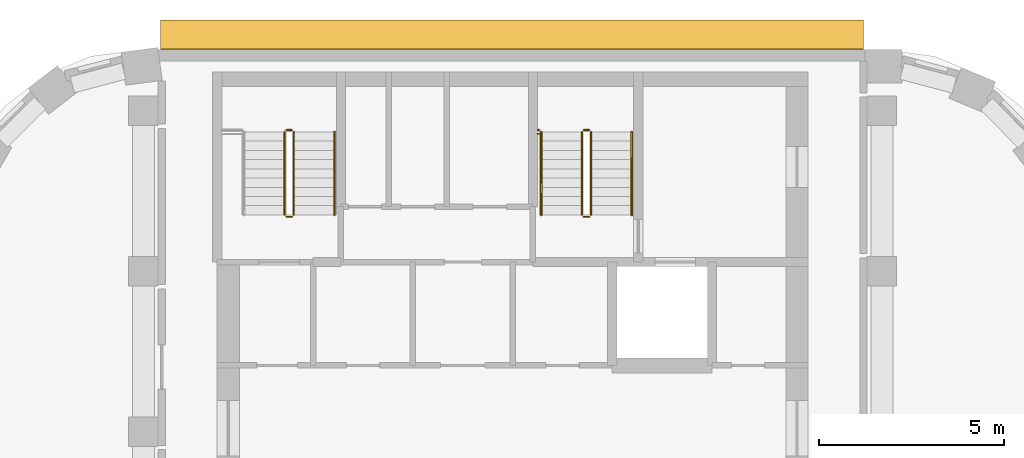
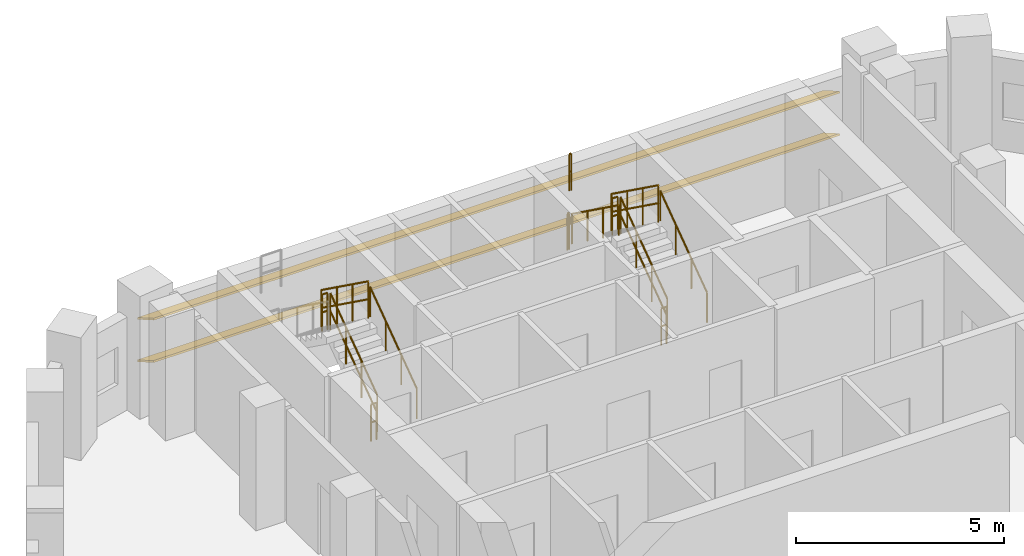
# One storey, part 9 of 9: 13 railings, 2 shading devices.
"""IFC4 building model written with IfcOpenShell, lengths in metres."""

from ifc_helpers import new_model, si_unit, direction, frame, origin, origin_2d, place, context, subcontext, project, spatial, rectangle, circle, extrude, material, material_profile, profile_set, type_object, element, save


model = new_model("IFC4")

# Units and contexts
model_context = context("Model", 3, precision=1e-05, world=origin(), true_north=direction((0.0, 1.0)))
body_context = subcontext(model_context, "Body", "Model", "MODEL_VIEW")
ifc_project = project(units=[si_unit("LENGTHUNIT", "METRE"), si_unit("AREAUNIT", "SQUARE_METRE"), si_unit("VOLUMEUNIT", "CUBIC_METRE"), si_unit("PLANEANGLEUNIT", "RADIAN"), si_unit("MASSUNIT", "GRAM", prefix="KILO")], contexts=[model_context])

# Site, building, storey
site_placement = place(None, origin())
site = spatial("IfcSite", under=ifc_project, at=site_placement, CompositionType="ELEMENT")
building_placement = place(site_placement, origin())
building = spatial("IfcBuilding", under=site, at=building_placement, Name="Nakaniwa Court", CompositionType="ELEMENT")
storey_placement = place(building_placement, frame((0.0, 0.0, 276.0)))
storey = spatial("IfcBuildingStorey", under=building, at=storey_placement, Name="C02", CompositionType="ELEMENT", Elevation=276.0)

# Shading devices
ifc_material_1 = material(Name="Perforated charcoal ceramic louvre blade")
ifc_material_profile = material_profile(ifc_material_1, rectangle(XDim=0.89990234375, YDim=0.050048828125, at=origin_2d()), Name="Perforated ceramic louvre blade")
ifc_profile_set = profile_set([ifc_material_profile], Name="Perforated charcoal ceramic louvre blade")
shading_device_type = type_object("IfcShadingDeviceType", Name="Perforated ceramic louvre blade", PredefinedType="JALOUSIE", material=ifc_profile_set)
for number, where, z_axis, x_axis, name in (
    (1, (89.499267578125, 103.05224609375, 0.550048828125), (-1.0, 0.0, 0.0), (0.0, -0.866025403784, 0.5), "C02 perforated ceramic louvre blade w23 1"),
    (2, (89.499267578125, 103.05224609375, 1.793212890625), (-1.0, 0.0, 0.0), (0.0, -0.866025403784, 0.5), "C02 perforated ceramic louvre blade w23 2"),
):
    element("IfcShadingDevice", number, at=place(storey_placement, frame(where, z_axis=z_axis, x_axis=x_axis)), inside=storey, type_object=shading_device_type, Name=name, PredefinedType="JALOUSIE", context=body_context, shape_type="SweptSolid", body=[
        extrude(rectangle(XDim=0.89990234375, YDim=0.050048828125, at=origin_2d()), origin(), (0.0, 0.0, 1.0), 19.03369140625),
    ])

# Railings
ifc_material_2 = material(Name="Black powder coated steel guard", Category="steel")
railing_type_1 = type_object("IfcRailingType", Name="Stair guard 1100", PredefinedType="GUARDRAIL", material=ifc_material_2)
railing_1_placement = place(storey_placement, frame((74.074951171875, 98.175048828125, 0.179931640625)))
element("IfcRailing", 3, at=railing_1_placement, inside=storey, type_object=railing_type_1, Name="C02 ST1 stair guard 1", PredefinedType="GUARDRAIL", context=body_context, shape_type="SweptSolid", body=[
    extrude(circle(Radius=0.02392578125, at=origin_2d()), frame((0.0, 0.0, 1.076171875), z_axis=(0.0, 0.811514298965, 0.584332561625), x_axis=(-1.0, 0.0, 0.0)), (0.0, 0.0, 1.0), 2.772705078125),
    extrude(circle(Radius=0.02392578125, at=origin_2d()), frame((0.0, 0.0, 0.550048828125), z_axis=(0.0, 0.811514298965, 0.584332561625), x_axis=(-1.0, 0.0, 0.0)), (0.0, 0.0, 1.0), 2.772705078125),
    extrude(circle(Radius=0.02099609375, at=origin_2d()), origin(), (0.0, 0.0, 1.0), 1.052001953125),
    extrude(circle(Radius=0.02099609375, at=origin_2d()), frame((0.0, 0.75, 0.5400390625)), (0.0, 0.0, 1.0), 1.052001953125),
    extrude(circle(Radius=0.02099609375, at=origin_2d()), frame((0.0, 1.5, 1.080078125)), (0.0, 0.0, 1.0), 1.052001953125),
    extrude(circle(Radius=0.02099609375, at=origin_2d()), frame((0.0, 2.25, 1.6201171875)), (0.0, 0.0, 1.0), 1.052001953125),
])
railing_2_placement = place(storey_placement, frame((74.02490234375, 100.47509765625, 1.800048828125)))
element("IfcRailing", 4, at=railing_2_placement, inside=storey, type_object=railing_type_1, Name="C02 ST1 stair guard 2", PredefinedType="GUARDRAIL", context=body_context, shape_type="SweptSolid", body=[
    extrude(circle(Radius=0.02392578125, at=origin_2d()), frame((0.0, 0.0, 1.076171875), z_axis=(-1.0, 0.0, 0.0), x_axis=(0.0, -1.0, 0.0)), (0.0, 0.0, 1.0), 0.14990234375),
    extrude(circle(Radius=0.02392578125, at=origin_2d()), frame((0.0, 0.0, 0.550048828125), z_axis=(-1.0, 0.0, 0.0), x_axis=(0.0, -1.0, 0.0)), (0.0, 0.0, 1.0), 0.14990234375),
    extrude(circle(Radius=0.02099609375, at=origin_2d()), origin(), (0.0, 0.0, 1.0), 1.052001953125),
    extrude(circle(Radius=0.02099609375, at=origin_2d()), frame((-0.14990234375, 0.0, 0.0)), (0.0, 0.0, 1.0), 1.052001953125),
])
railing_3_placement = place(storey_placement, frame((73.824951171875, 100.425048828125, 1.97998046875)))
element("IfcRailing", 5, at=railing_3_placement, inside=storey, type_object=railing_type_1, Name="C02 ST1 stair guard 3", PredefinedType="GUARDRAIL", context=body_context, shape_type="SweptSolid", body=[
    extrude(circle(Radius=0.02392578125, at=origin_2d()), frame((0.0, 0.0, 1.076171875), z_axis=(0.0, -0.811514298965, 0.584332561625), x_axis=(1.0, 0.0, 0.0)), (0.0, 0.0, 1.0), 2.772705078125),
    extrude(circle(Radius=0.02392578125, at=origin_2d()), frame((0.0, 0.0, 0.550048828125), z_axis=(0.0, -0.811514298965, 0.584332561625), x_axis=(1.0, 0.0, 0.0)), (0.0, 0.0, 1.0), 2.772705078125),
    extrude(circle(Radius=0.02099609375, at=origin_2d()), origin(), (0.0, 0.0, 1.0), 1.052001953125),
    extrude(circle(Radius=0.02099609375, at=origin_2d()), frame((0.0, -0.75, 0.5400390625)), (0.0, 0.0, 1.0), 1.052001953125),
    extrude(circle(Radius=0.02099609375, at=origin_2d()), frame((0.0, -1.5, 1.080078125)), (0.0, 0.0, 1.0), 1.052001953125),
    extrude(circle(Radius=0.02099609375, at=origin_2d()), frame((0.0, -2.25, 1.6201171875)), (0.0, 0.0, 1.0), 1.052001953125),
])
railing_4_placement = place(storey_placement, frame((74.02490234375, 98.125, 0.0)))
element("IfcRailing", 6, at=railing_4_placement, inside=storey, type_object=railing_type_1, Name="C02 ST1 stair guard 4", PredefinedType="GUARDRAIL", context=body_context, shape_type="SweptSolid", body=[
    extrude(circle(Radius=0.02392578125, at=origin_2d()), frame((0.0, 0.0, 1.076171875), z_axis=(-1.0, 0.0, 0.0), x_axis=(0.0, -1.0, 0.0)), (0.0, 0.0, 1.0), 0.14990234375),
    extrude(circle(Radius=0.02392578125, at=origin_2d()), frame((0.0, 0.0, 0.550048828125), z_axis=(-1.0, 0.0, 0.0), x_axis=(0.0, -1.0, 0.0)), (0.0, 0.0, 1.0), 0.14990234375),
    extrude(circle(Radius=0.02099609375, at=origin_2d()), origin(), (0.0, 0.0, 1.0), 1.052001953125),
    extrude(circle(Radius=0.02099609375, at=origin_2d()), frame((-0.14990234375, 0.0, 0.0)), (0.0, 0.0, 1.0), 1.052001953125),
])
railing_5_placement = place(storey_placement, frame((82.125, 98.175048828125, 0.179931640625)))
element("IfcRailing", 7, at=railing_5_placement, inside=storey, type_object=railing_type_1, Name="C02 ST2 stair guard 1", PredefinedType="GUARDRAIL", context=body_context, shape_type="SweptSolid", body=[
    extrude(circle(Radius=0.02392578125, at=origin_2d()), frame((0.0, 0.0, 1.076171875), z_axis=(0.0, 0.811514298965, 0.584332561625), x_axis=(-1.0, 0.0, 0.0)), (0.0, 0.0, 1.0), 2.772705078125),
    extrude(circle(Radius=0.02392578125, at=origin_2d()), frame((0.0, 0.0, 0.550048828125), z_axis=(0.0, 0.811514298965, 0.584332561625), x_axis=(-1.0, 0.0, 0.0)), (0.0, 0.0, 1.0), 2.772705078125),
    extrude(circle(Radius=0.02099609375, at=origin_2d()), origin(), (0.0, 0.0, 1.0), 1.052001953125),
    extrude(circle(Radius=0.02099609375, at=origin_2d()), frame((0.0, 0.75, 0.5400390625)), (0.0, 0.0, 1.0), 1.052001953125),
    extrude(circle(Radius=0.02099609375, at=origin_2d()), frame((0.0, 1.5, 1.080078125)), (0.0, 0.0, 1.0), 1.052001953125),
    extrude(circle(Radius=0.02099609375, at=origin_2d()), frame((0.0, 2.25, 1.6201171875)), (0.0, 0.0, 1.0), 1.052001953125),
])
railing_6_placement = place(storey_placement, frame((82.074951171875, 100.47509765625, 1.800048828125)))
element("IfcRailing", 8, at=railing_6_placement, inside=storey, type_object=railing_type_1, Name="C02 ST2 stair guard 2", PredefinedType="GUARDRAIL", context=body_context, shape_type="SweptSolid", body=[
    extrude(circle(Radius=0.02392578125, at=origin_2d()), frame((0.0, 0.0, 1.076171875), z_axis=(-1.0, 0.0, 0.0), x_axis=(0.0, -1.0, 0.0)), (0.0, 0.0, 1.0), 0.14990234375),
    extrude(circle(Radius=0.02392578125, at=origin_2d()), frame((0.0, 0.0, 0.550048828125), z_axis=(-1.0, 0.0, 0.0), x_axis=(0.0, -1.0, 0.0)), (0.0, 0.0, 1.0), 0.14990234375),
    extrude(circle(Radius=0.02099609375, at=origin_2d()), origin(), (0.0, 0.0, 1.0), 1.052001953125),
    extrude(circle(Radius=0.02099609375, at=origin_2d()), frame((-0.14990234375, 0.0, 0.0)), (0.0, 0.0, 1.0), 1.052001953125),
])
railing_7_placement = place(storey_placement, frame((81.875, 100.425048828125, 1.97998046875)))
element("IfcRailing", 9, at=railing_7_placement, inside=storey, type_object=railing_type_1, Name="C02 ST2 stair guard 3", PredefinedType="GUARDRAIL", context=body_context, shape_type="SweptSolid", body=[
    extrude(circle(Radius=0.02392578125, at=origin_2d()), frame((0.0, 0.0, 1.076171875), z_axis=(0.0, -0.811514298965, 0.584332561625), x_axis=(1.0, 0.0, 0.0)), (0.0, 0.0, 1.0), 2.772705078125),
    extrude(circle(Radius=0.02392578125, at=origin_2d()), frame((0.0, 0.0, 0.550048828125), z_axis=(0.0, -0.811514298965, 0.584332561625), x_axis=(1.0, 0.0, 0.0)), (0.0, 0.0, 1.0), 2.772705078125),
    extrude(circle(Radius=0.02099609375, at=origin_2d()), origin(), (0.0, 0.0, 1.0), 1.052001953125),
    extrude(circle(Radius=0.02099609375, at=origin_2d()), frame((0.0, -0.75, 0.5400390625)), (0.0, 0.0, 1.0), 1.052001953125),
    extrude(circle(Radius=0.02099609375, at=origin_2d()), frame((0.0, -1.5, 1.080078125)), (0.0, 0.0, 1.0), 1.052001953125),
    extrude(circle(Radius=0.02099609375, at=origin_2d()), frame((0.0, -2.25, 1.6201171875)), (0.0, 0.0, 1.0), 1.052001953125),
])
railing_8_placement = place(storey_placement, frame((82.074951171875, 98.125, 0.0)))
element("IfcRailing", 10, at=railing_8_placement, inside=storey, type_object=railing_type_1, Name="C02 ST2 stair guard 4", PredefinedType="GUARDRAIL", context=body_context, shape_type="SweptSolid", body=[
    extrude(circle(Radius=0.02392578125, at=origin_2d()), frame((0.0, 0.0, 1.076171875), z_axis=(-1.0, 0.0, 0.0), x_axis=(0.0, -1.0, 0.0)), (0.0, 0.0, 1.0), 0.14990234375),
    extrude(circle(Radius=0.02392578125, at=origin_2d()), frame((0.0, 0.0, 0.550048828125), z_axis=(-1.0, 0.0, 0.0), x_axis=(0.0, -1.0, 0.0)), (0.0, 0.0, 1.0), 0.14990234375),
    extrude(circle(Radius=0.02099609375, at=origin_2d()), origin(), (0.0, 0.0, 1.0), 1.052001953125),
    extrude(circle(Radius=0.02099609375, at=origin_2d()), frame((-0.14990234375, 0.0, 0.0)), (0.0, 0.0, 1.0), 1.052001953125),
])
for number, where, name in (
    (11, (80.675048828125, 100.47509765625, 1.800048828125), "C02 ST2 landing side guard 1W"),
    (12, (80.675048828125, 100.375, 3.60009765625), "C02 ST2 floor edge guard 1W"),
):
    element("IfcRailing", number, at=place(storey_placement, frame(where)), inside=storey, type_object=railing_type_1, Name=name, PredefinedType="GUARDRAIL", context=body_context, shape_type="SweptSolid", body=[
        extrude(circle(Radius=0.02392578125, at=origin_2d()), frame((0.0, 0.0, 1.076171875), z_axis=(1.0, 0.0, 0.0), x_axis=(0.0, 1.0, 0.0)), (0.0, 0.0, 1.0), 0.050048828125),
        extrude(circle(Radius=0.02392578125, at=origin_2d()), frame((0.0, 0.0, 0.550048828125), z_axis=(1.0, 0.0, 0.0), x_axis=(0.0, 1.0, 0.0)), (0.0, 0.0, 1.0), 0.050048828125),
        extrude(circle(Radius=0.02099609375, at=origin_2d()), origin(), (0.0, 0.0, 1.0), 1.052001953125),
        extrude(circle(Radius=0.02099609375, at=origin_2d()), frame((0.050048828125, 0.0, 0.0)), (0.0, 0.0, 1.0), 1.052001953125),
    ])
ifc_material_3 = material(Name="Black powder coated steel handrail", Category="steel")
railing_type_2 = type_object("IfcRailingType", Name="Stair handrail 900", PredefinedType="HANDRAIL", material=ifc_material_3)
for number, where, name in (
    (13, (75.175048828125, 98.175048828125, 0.179931640625), "C02 ST1 stair handrail 1"),
    (14, (83.22509765625, 98.175048828125, 0.179931640625), "C02 ST2 stair handrail 1"),
):
    element("IfcRailing", number, at=place(storey_placement, frame(where)), inside=storey, type_object=railing_type_2, Name=name, PredefinedType="HANDRAIL", context=body_context, shape_type="SweptSolid", body=[
        extrude(circle(Radius=0.02392578125, at=origin_2d()), frame((0.0, 0.0, 0.8759765625), z_axis=(0.0, 0.811514298965, 0.584332561625), x_axis=(-1.0, 0.0, 0.0)), (0.0, 0.0, 1.0), 2.772705078125),
        extrude(circle(Radius=0.02099609375, at=origin_2d()), origin(), (0.0, 0.0, 1.0), 0.851806640625),
        extrude(circle(Radius=0.02099609375, at=origin_2d()), frame((0.0, 0.75, 0.5400390625)), (0.0, 0.0, 1.0), 0.851806640625),
        extrude(circle(Radius=0.02099609375, at=origin_2d()), frame((0.0, 1.5, 1.080078125)), (0.0, 0.0, 1.0), 0.851806640625),
        extrude(circle(Radius=0.02099609375, at=origin_2d()), frame((0.0, 2.25, 1.6201171875)), (0.0, 0.0, 1.0), 0.851806640625),
    ])
railing_9_placement = place(storey_placement, frame((80.77490234375, 100.425048828125, 1.97998046875)))
element("IfcRailing", 15, at=railing_9_placement, inside=storey, type_object=railing_type_2, Name="C02 ST2 stair handrail 2", PredefinedType="HANDRAIL", context=body_context, shape_type="SweptSolid", body=[
    extrude(circle(Radius=0.02392578125, at=origin_2d()), frame((0.0, 0.0, 0.8759765625), z_axis=(0.0, -0.811514298965, 0.584332561625), x_axis=(1.0, 0.0, 0.0)), (0.0, 0.0, 1.0), 2.772705078125),
    extrude(circle(Radius=0.02099609375, at=origin_2d()), origin(), (0.0, 0.0, 1.0), 0.851806640625),
    extrude(circle(Radius=0.02099609375, at=origin_2d()), frame((0.0, -0.75, 0.5400390625)), (0.0, 0.0, 1.0), 0.851806640625),
    extrude(circle(Radius=0.02099609375, at=origin_2d()), frame((0.0, -1.5, 1.080078125)), (0.0, 0.0, 1.0), 0.851806640625),
    extrude(circle(Radius=0.02099609375, at=origin_2d()), frame((0.0, -2.25, 1.6201171875)), (0.0, 0.0, 1.0), 0.851806640625),
])

save(model, "model.ifc")
